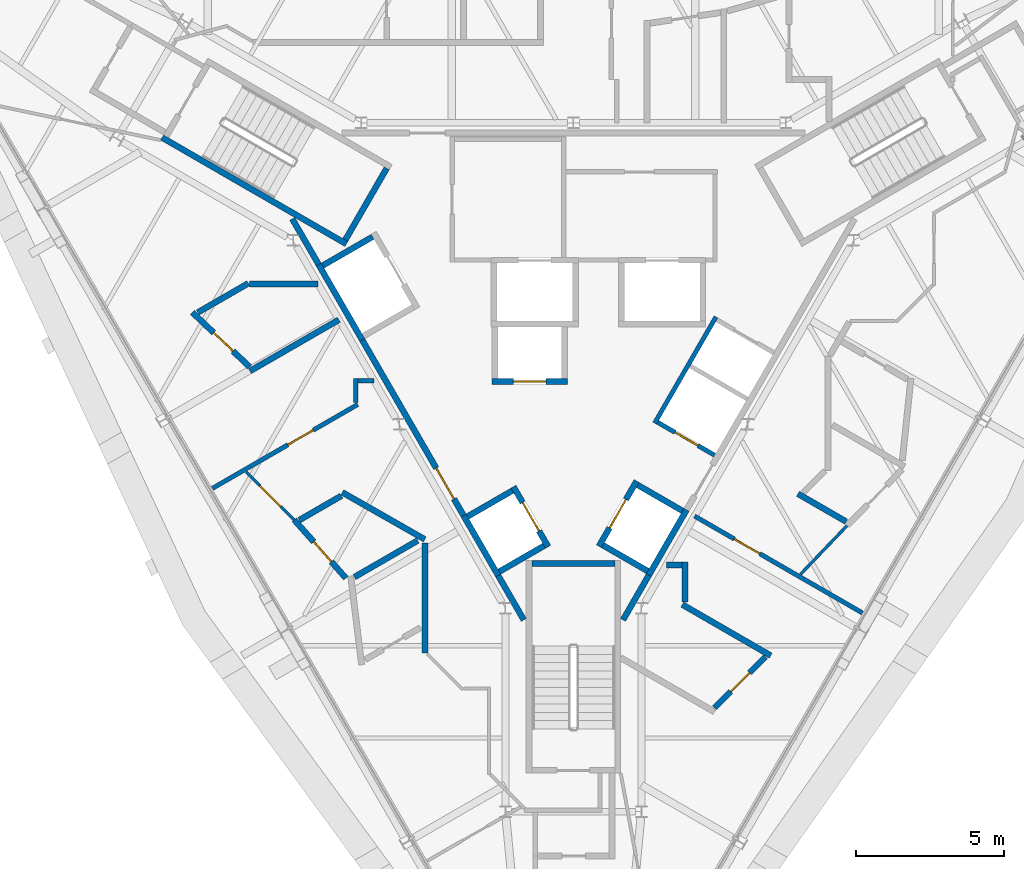
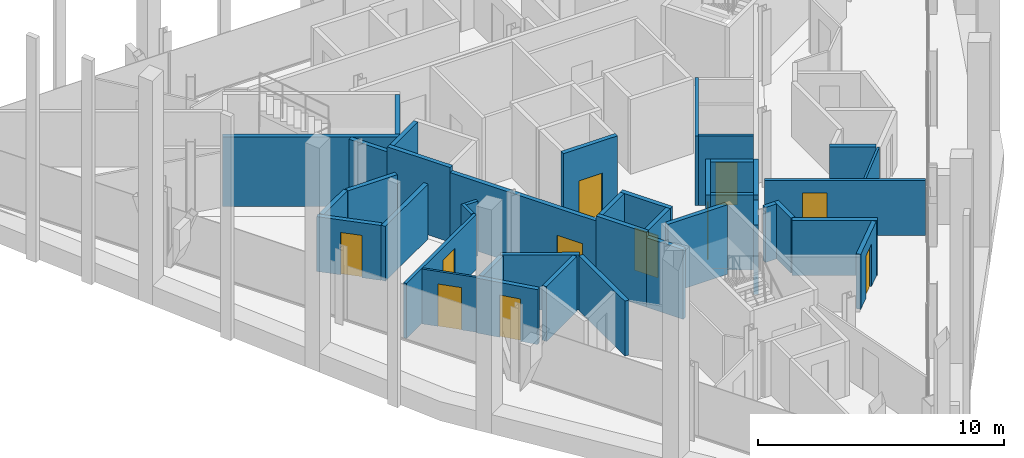
# One storey, part 8 of 13: 40 walls, 11 doors, 11 openings.
"""IFC4 building model written with IfcOpenShell, lengths in metres."""

from ifc_helpers import new_model, si_unit, direction, frame, frame_2d, origin, place, context, subcontext, project, spatial, rectangle, extrude, material, layer, layer_set, type_object, element, fill, save


model = new_model("IFC4")

# Units and contexts
model_context = context("Model", 3, precision=1e-05, world=origin(), true_north=direction((0.0, 1.0)))
body_context = subcontext(model_context, "Body", "Model", "MODEL_VIEW")
ifc_project = project(units=[si_unit("LENGTHUNIT", "METRE"), si_unit("AREAUNIT", "SQUARE_METRE"), si_unit("VOLUMEUNIT", "CUBIC_METRE"), si_unit("PLANEANGLEUNIT", "RADIAN"), si_unit("MASSUNIT", "GRAM", prefix="KILO")], contexts=[model_context])

# Site, building, storey
site_placement = place(None, origin())
site = spatial("IfcSite", under=ifc_project, at=site_placement, CompositionType="ELEMENT")
building_placement = place(site_placement, origin())
building = spatial("IfcBuilding", under=site, at=building_placement, Name="Verrane Prism Tower", CompositionType="ELEMENT")
storey_placement = place(building_placement, frame((0.0, 0.0, 286.199951171875)))
storey = spatial("IfcBuildingStorey", under=building, at=storey_placement, Name="L72", CompositionType="ELEMENT", Elevation=286.199951171875)

# Wall
ifc_material_1 = material(Name="Gypsum board partition", Category="other")
ifc_layer_1 = layer(ifc_material_1, 0.199951171875)
ifc_layer_set_1 = layer_set([ifc_layer_1], Name="CW-200 core boundary wall 2 h")
wall_type_1 = type_object("IfcWallType", Name="CW-200 core boundary wall 2 h", PredefinedType="PARTITIONING", material=ifc_layer_set_1)
wall_1_placement = place(storey_placement, frame((-9.509033203125, 3.550537109375, 0.0), z_axis=(0.0, 0.0, 1.0), x_axis=(0.499999136801, -0.866025902152, 0.0)))
element("IfcWall", 1, at=wall_1_placement, inside=storey, type_object=wall_type_1, Name="Core boundary wall CW3-001", PredefinedType="PARTITIONING", context=body_context, shape_type="SweptSolid", body=[
    extrude(rectangle(XDim=1.7822265625, YDim=0.199951171875, at=frame_2d((0.89111328125, 0.0))), origin(), (0.0, 0.0, 1.0), 3.449951171875),
])

# Wall, opening, door
wall_2_placement = place(storey_placement, frame((-7.14111328125, -0.551025390625, 0.0), z_axis=(0.0, 0.0, 1.0), x_axis=(0.500001302854, -0.86602465158, 0.0)))
wall_2 = element("IfcWall", 2, at=wall_2_placement, inside=storey, type_object=wall_type_1, Name="Core boundary wall CW3-003", PredefinedType="PARTITIONING", context=body_context, shape_type="SweptSolid", body=[
    extrude(rectangle(XDim=6.84619140625, YDim=0.199951171875, at=frame_2d((3.423095703125, 0.0))), origin(), (0.0, 0.0, 1.0), 3.449951171875),
])
opening_1_placement = place(wall_2_placement, frame((5.0, 0.0, 0.0)))
opening_1 = element("IfcOpeningElement", 3, at=opening_1_placement, cuts=wall_2, Name="Opening D72510", PredefinedType="OPENING", context=body_context, shape_type="SweptSolid", body=[
    extrude(rectangle(XDim=1.199951171875, YDim=2.10009765625, at=frame_2d((0.60009765625, 1.050048828125))), frame((0.0, 0.10986328125, 0.0), z_axis=(0.0, -1.0, 0.0), x_axis=(1.0, 0.0, 0.0)), (0.0, 0.0, 1.0), 0.219970703125),
])
ifc_material_2 = material(Name="Timber veneered door leaf", Category="wood")
door_type_1 = type_object("IfcDoorType", Name="DR-1200x2100 FD60 single leaf lift lobby", OperationType="NOTDEFINED", PredefinedType="DOOR", material=ifc_material_2)
door_1_placement = place(opening_1_placement, origin())
door_1 = element("IfcDoor", 4, at=door_1_placement, inside=storey, type_object=door_type_1, Name="Lift lobby door D72510", OperationType="SINGLE_SWING_RIGHT", OverallHeight=2.10009765625, OverallWidth=1.199951171875, PredefinedType="DOOR", context=body_context, shape_type="SweptSolid", body=[
    extrude(rectangle(XDim=1.199951171875, YDim=2.10009765625, at=frame_2d((0.60009765625, 1.050048828125))), frame((0.0, 0.02490234375, 0.0), z_axis=(0.0, -1.0, 0.0), x_axis=(1.0, 0.0, 0.0)), (0.0, 0.0, 1.0), 0.050048828125),
])
fill(opening_1, door_1)

# Walls
wall_3_placement = place(storey_placement, frame((-2.541015625, -8.51904296875, 0.0), z_axis=(0.0, 0.0, 1.0), x_axis=(0.500016142392, -0.86601608377, 0.0)))
element("IfcWall", 5, at=wall_3_placement, inside=storey, type_object=wall_type_1, Name="Core boundary wall CW3-004", PredefinedType="PARTITIONING", context=body_context, shape_type="SweptSolid", body=[
    extrude(rectangle(XDim=1.72705078125, YDim=0.199951171875, at=frame_2d((0.863525390625, 0.0))), origin(), (0.0, 0.0, 1.0), 3.449951171875),
])
wall_4_placement = place(storey_placement, frame((1.677490234375, -10.0146484375, 0.0), z_axis=(0.0, 0.0, 1.0), x_axis=(0.49983532306, 0.866120459187, 0.0)))
element("IfcWall", 6, at=wall_4_placement, inside=storey, type_object=wall_type_1, Name="Core boundary wall CW3-005", PredefinedType="PARTITIONING", context=body_context, shape_type="SweptSolid", body=[
    extrude(rectangle(XDim=1.74755859375, YDim=0.199951171875, at=frame_2d((0.873779296875, 0.0))), origin(), (0.0, 0.0, 1.0), 3.449951171875),
])
ifc_material_3 = material(Name="Concrete C40/50", Category="concrete")
ifc_layer_2 = layer(ifc_material_3, 0.199951171875)
ifc_layer_set_2 = layer_set([ifc_layer_2], Name="CW-200 stair core wall concrete C40/50 3 h")
wall_type_2 = type_object("IfcWallType", Name="CW-200 stair core wall concrete C40/50 3 h", PredefinedType="PARTITIONING", material=ifc_layer_set_2)
wall_5_placement = place(storey_placement, frame((-7.67822265625, 2.700927734375, 0.0), z_axis=(0.0, 0.0, 1.0), x_axis=(-0.866018442252, 0.500012057535, 0.0)))
element("IfcWall", 7, at=wall_5_placement, inside=storey, type_object=wall_type_2, Name="Stair 2 enclosure wall", PredefinedType="PARTITIONING", context=body_context, shape_type="SweptSolid", body=[
    extrude(rectangle(XDim=7.199951171875, YDim=0.199951171875, at=frame_2d((3.60009765625, 0.0))), origin(), (0.0, 0.0, 1.0), 3.449951171875),
])
wall_6_placement = place(storey_placement, frame((-6.314697265625, 5.262451171875, 0.0), z_axis=(0.0, 0.0, 1.0), x_axis=(-0.500049511043, -0.865996816683, 0.0)))
element("IfcWall", 8, at=wall_6_placement, inside=storey, type_object=wall_type_2, Name="Stair 2 enclosure wall", PredefinedType="PARTITIONING", context=body_context, shape_type="SweptSolid", body=[
    extrude(rectangle(XDim=2.800048828125, YDim=0.199951171875, at=frame_2d((1.39990234375, 0.0))), origin(), (0.0, 0.0, 1.0), 3.449951171875),
])
wall_7_placement = place(storey_placement, frame((-1.39990234375, -8.10009765625, 0.0), z_axis=(0.0, 0.0, 1.0), x_axis=(1.0, 0.0, 0.0)))
element("IfcWall", 9, at=wall_7_placement, inside=storey, type_object=wall_type_2, Name="Stair 3 enclosure wall", PredefinedType="PARTITIONING", context=body_context, shape_type="SweptSolid", body=[
    extrude(rectangle(XDim=2.7998046875, YDim=0.199951171875, at=frame_2d((1.39990234375, 0.0))), origin(), (0.0, 0.0, 1.0), 3.449951171875),
])

# Wall, opening, door
ifc_material_4 = material(Name="Gypsum board shaft wall assembly", Category="other")
ifc_layer_3 = layer(ifc_material_4, 0.199951171875)
ifc_layer_set_3 = layer_set([ifc_layer_3], Name="HW-200 lift shaft wall 2 h")
wall_type_3 = type_object("IfcWallType", Name="HW-200 lift shaft wall 2 h", PredefinedType="PARTITIONING", material=ifc_layer_set_3)
wall_8_placement = place(storey_placement, frame((-2.7548828125, -1.949951171875, 0.0), z_axis=(0.0, 0.0, 1.0), x_axis=(1.0, 0.0, 0.0)))
wall_8 = element("IfcWall", 10, at=wall_8_placement, inside=storey, type_object=wall_type_3, Name="Lift shaft wall", PredefinedType="PARTITIONING", context=body_context, shape_type="SweptSolid", body=[
    extrude(rectangle(XDim=2.5498046875, YDim=0.199951171875, at=frame_2d((1.27490234375, 0.0))), origin(), (0.0, 0.0, 1.0), 3.699951171875),
])
opening_2_placement = place(wall_8_placement, frame((0.72509765625, 0.0, 0.0)))
opening_2 = element("IfcOpeningElement", 11, at=opening_2_placement, cuts=wall_8, Name="Opening D72504", PredefinedType="OPENING", context=body_context, shape_type="SweptSolid", body=[
    extrude(rectangle(XDim=1.10009765625, YDim=2.10009765625, at=frame_2d((0.550048828125, 1.050048828125))), frame((0.0, 0.10986328125, 0.0), z_axis=(0.0, -1.0, 0.0), x_axis=(1.0, 0.0, 0.0)), (0.0, 0.0, 1.0), 0.219970703125),
])
ifc_material_5 = material(Name="Stainless steel sliding landing door", Category="steel")
door_type_2 = type_object("IfcDoorType", Name="LD-1100x2100 lift landing door FD90 sliding", OperationType="NOTDEFINED", PredefinedType="DOOR", material=ifc_material_5)
door_2_placement = place(opening_2_placement, origin())
door_2 = element("IfcDoor", 12, at=door_2_placement, inside=storey, type_object=door_type_2, Name="Bank C lift 2 landing door", OperationType="SLIDING_TO_RIGHT", OverallHeight=2.10009765625, OverallWidth=1.10009765625, PredefinedType="DOOR", context=body_context, shape_type="SweptSolid", body=[
    extrude(rectangle(XDim=1.10009765625, YDim=2.10009765625, at=frame_2d((0.550048828125, 1.050048828125))), frame((0.0, 0.02490234375, 0.0), z_axis=(0.0, -1.0, 0.0), x_axis=(1.0, 0.0, 0.0)), (0.0, 0.0, 1.0), 0.050048828125),
])
fill(opening_2, door_2)

# Walls
for number, where, z_axis, x_axis, name in (
    (13, (-2.50537109375, -8.38037109375, 0.0), (0.0, 0.0, 1.0), (0.866002029911, 0.500040482552, 0.0), "Lift shaft wall"),
    (14, (-3.580322265625, -6.5185546875, 0.0), (0.0, 0.0, 1.0), (0.866002029911, 0.500040482552, 0.0), "Lift shaft wall"),
):
    element("IfcWall", number, at=place(storey_placement, frame(where, z_axis=z_axis, x_axis=x_axis)), inside=storey, type_object=wall_type_3, Name=name, PredefinedType="PARTITIONING", context=body_context, shape_type="SweptSolid", body=[
        extrude(rectangle(XDim=1.749755859375, YDim=0.199951171875, at=frame_2d((0.875, 0.0))), origin(), (0.0, 0.0, 1.0), 3.699951171875),
    ])
wall_9_placement = place(storey_placement, frame((-8.48046875, 1.968505859375, 0.0), z_axis=(0.0, 0.0, 1.0), x_axis=(0.866000020948, 0.500043961785, 0.0)))
element("IfcWall", 15, at=wall_9_placement, inside=storey, type_object=wall_type_3, Name="Lift shaft wall", PredefinedType="PARTITIONING", context=body_context, shape_type="SweptSolid", body=[
    extrude(rectangle(XDim=1.949951171875, YDim=0.199951171875, at=frame_2d((0.97509765625, 0.0))), origin(), (0.0, 0.0, 1.0), 3.699951171875),
])
wall_10_placement = place(storey_placement, frame((2.552001953125, -8.499755859375, 0.0), z_axis=(0.0, 0.0, 1.0), x_axis=(0.499990435942, 0.866030925526, 0.0)))
element("IfcWall", 16, at=wall_10_placement, inside=storey, type_object=wall_type_3, Name="Lift shaft wall", PredefinedType="PARTITIONING", context=body_context, shape_type="SweptSolid", body=[
    extrude(rectangle(XDim=2.5498046875, YDim=0.199951171875, at=frame_2d((1.27490234375, 0.0))), origin(), (0.0, 0.0, 1.0), 3.699951171875),
])

# Wall, opening, door
wall_11_placement = place(storey_placement, frame((0.86328125, -7.524658203125, 0.0), z_axis=(0.0, 0.0, 1.0), x_axis=(0.499990435942, 0.866030925526, 0.0)))
wall_11 = element("IfcWall", 17, at=wall_11_placement, inside=storey, type_object=wall_type_3, Name="Lift shaft wall", PredefinedType="PARTITIONING", context=body_context, shape_type="SweptSolid", body=[
    extrude(rectangle(XDim=2.5498046875, YDim=0.199951171875, at=frame_2d((1.27490234375, 0.0))), origin(), (0.0, 0.0, 1.0), 3.699951171875),
])
opening_3_placement = place(wall_11_placement, frame((0.72509765625, 0.0, 0.0)))
opening_3 = element("IfcOpeningElement", 18, at=opening_3_placement, cuts=wall_11, Name="Opening D72505", PredefinedType="OPENING", context=body_context, shape_type="SweptSolid", body=[
    extrude(rectangle(XDim=1.10009765625, YDim=2.10009765625, at=frame_2d((0.550048828125, 1.050048828125))), frame((0.0, 0.10986328125, 0.0), z_axis=(0.0, -1.0, 0.0), x_axis=(1.0, 0.0, 0.0)), (0.0, 0.0, 1.0), 0.219970703125),
])
door_3_placement = place(opening_3_placement, origin())
door_3 = element("IfcDoor", 19, at=door_3_placement, inside=storey, type_object=door_type_2, Name="Bank C lift 3 landing door", OperationType="SLIDING_TO_LEFT", OverallHeight=2.10009765625, OverallWidth=1.10009765625, PredefinedType="DOOR", context=body_context, shape_type="SweptSolid", body=[
    extrude(rectangle(XDim=1.10009765625, YDim=2.10009765625, at=frame_2d((0.550048828125, 1.050048828125))), frame((0.0, 0.02490234375, 0.0), z_axis=(0.0, -1.0, 0.0), x_axis=(1.0, 0.0, 0.0)), (0.0, 0.0, 1.0), 0.050048828125),
])
fill(opening_3, door_3)

wall_12_placement = place(storey_placement, frame((-0.853271484375, -7.5419921875, 0.0), z_axis=(0.0, 0.0, 1.0), x_axis=(-0.500016218704, 0.866016039709, 0.0)))
wall_12 = element("IfcWall", 20, at=wall_12_placement, inside=storey, type_object=wall_type_3, Name="Lift shaft wall", PredefinedType="PARTITIONING", context=body_context, shape_type="SweptSolid", body=[
    extrude(rectangle(XDim=2.35009765625, YDim=0.199951171875, at=frame_2d((1.175048828125, 0.0))), origin(), (0.0, 0.0, 1.0), 3.699951171875),
])
opening_4_placement = place(wall_12_placement, frame((0.625, 0.0, 0.0)))
opening_4 = element("IfcOpeningElement", 21, at=opening_4_placement, cuts=wall_12, Name="Opening D72503", PredefinedType="OPENING", context=body_context, shape_type="SweptSolid", body=[
    extrude(rectangle(XDim=1.10009765625, YDim=2.10009765625, at=frame_2d((0.550048828125, 1.050048828125))), frame((0.0, 0.10986328125, 0.0), z_axis=(0.0, -1.0, 0.0), x_axis=(1.0, 0.0, 0.0)), (0.0, 0.0, 1.0), 0.219970703125),
])
door_4_placement = place(opening_4_placement, origin())
door_4 = element("IfcDoor", 22, at=door_4_placement, inside=storey, type_object=door_type_2, Name="Bank C lift 1 landing door", OperationType="SLIDING_TO_LEFT", OverallHeight=2.10009765625, OverallWidth=1.10009765625, PredefinedType="DOOR", context=body_context, shape_type="SweptSolid", body=[
    extrude(rectangle(XDim=1.10009765625, YDim=2.10009765625, at=frame_2d((0.550048828125, 1.050048828125))), frame((0.0, 0.02490234375, 0.0), z_axis=(0.0, -1.0, 0.0), x_axis=(1.0, 0.0, 0.0)), (0.0, 0.0, 1.0), 0.050048828125),
])
fill(opening_4, door_4)

# Walls
wall_13_placement = place(storey_placement, frame((-2.5419921875, -8.51708984375, 0.0), z_axis=(0.0, 0.0, 1.0), x_axis=(-0.500016218704, 0.866016039709, 0.0)))
element("IfcWall", 23, at=wall_13_placement, inside=storey, type_object=wall_type_3, Name="Lift shaft wall", PredefinedType="PARTITIONING", context=body_context, shape_type="SweptSolid", body=[
    extrude(rectangle(XDim=2.35009765625, YDim=0.199951171875, at=frame_2d((1.175048828125, 0.0))), origin(), (0.0, 0.0, 1.0), 3.699951171875),
])
wall_14_placement = place(storey_placement, frame((-7.14208984375, -0.549560546875, 0.0), z_axis=(0.0, 0.0, 1.0), x_axis=(-0.49997559174, 0.866039495442, 0.0)))
element("IfcWall", 24, at=wall_14_placement, inside=storey, type_object=wall_type_3, Name="Lift shaft wall", PredefinedType="PARTITIONING", context=body_context, shape_type="SweptSolid", body=[
    extrude(rectangle(XDim=2.949951171875, YDim=0.199951171875, at=frame_2d((1.47509765625, 0.0))), origin(), (0.0, 0.0, 1.0), 3.699951171875),
])
for number, where, z_axis, x_axis, name in (
    (25, (3.6904296875, -6.327880859375, 0.0), (0.0, 0.0, 1.0), (-0.866036909293, 0.499980071345, 0.0), "Lift shaft wall"),
    (26, (2.515380859375, -8.36328125, 0.0), (0.0, 0.0, 1.0), (-0.866036909293, 0.499980071345, 0.0), "Lift shaft wall"),
):
    element("IfcWall", number, at=place(storey_placement, frame(where, z_axis=z_axis, x_axis=x_axis)), inside=storey, type_object=wall_type_3, Name=name, PredefinedType="PARTITIONING", context=body_context, shape_type="SweptSolid", body=[
        extrude(rectangle(XDim=1.75, YDim=0.199951171875, at=frame_2d((0.875, 0.0))), origin(), (0.0, 0.0, 1.0), 3.699951171875),
    ])

# Wall, opening, door
ifc_material_6 = material(Name="Gypsum board partition", Category="other")
ifc_layer_4 = layer(ifc_material_6, 0.10009765625)
ifc_layer_set_4 = layer_set([ifc_layer_4], Name="PW-100 room partition")
wall_type_4 = type_object("IfcWallType", Name="PW-100 room partition", PredefinedType="PARTITIONING", material=ifc_layer_set_4)
wall_15_placement = place(storey_placement, frame((-9.4521484375, -6.626708984375, 0.0), z_axis=(0.0, 0.0, 1.0), x_axis=(-0.707106781187, 0.707106781187, 0.0)))
wall_15 = element("IfcWall", 27, at=wall_15_placement, inside=storey, type_object=wall_type_4, Name="Room partition 013", PredefinedType="PARTITIONING", context=body_context, shape_type="SweptSolid", body=[
    extrude(rectangle(XDim=2.288818359375, YDim=0.10009765625, at=frame_2d((1.14453125, 0.0))), origin(), (0.0, 0.0, 1.0), 2.72314453125),
])
opening_5_placement = place(wall_15_placement, frame((0.6298828125, 0.0, 0.0)))
opening_5 = element("IfcOpeningElement", 28, at=opening_5_placement, cuts=wall_15, Name="Opening D72023", PredefinedType="OPENING", context=body_context, shape_type="SweptSolid", body=[
    extrude(rectangle(XDim=1.0, YDim=2.10009765625, at=frame_2d((0.5, 1.050048828125))), frame((0.0, 0.06005859375, 0.0), z_axis=(0.0, -1.0, 0.0), x_axis=(1.0, 0.0, 0.0)), (0.0, 0.0, 1.0), 0.1201171875),
])
ifc_material_7 = material(Name="Timber veneered door leaf", Category="wood")
door_type_3 = type_object("IfcDoorType", Name="DR-1000x2100 single leaf inner", OperationType="NOTDEFINED", PredefinedType="DOOR", material=ifc_material_7)
door_5_placement = place(opening_5_placement, origin())
door_5 = element("IfcDoor", 29, at=door_5_placement, inside=storey, type_object=door_type_3, Name="Entrance Foyer door", OperationType="SINGLE_SWING_RIGHT", OverallHeight=2.10009765625, OverallWidth=1.0, PredefinedType="DOOR", context=body_context, shape_type="SweptSolid", body=[
    extrude(rectangle(XDim=1.0, YDim=2.10009765625, at=frame_2d((0.5, 1.050048828125))), frame((0.0, 0.02490234375, 0.0), z_axis=(0.0, -1.0, 0.0), x_axis=(1.0, 0.0, 0.0)), (0.0, 0.0, 1.0), 0.050048828125),
])
fill(opening_5, door_5)

# Wall
wall_16_placement = place(storey_placement, frame((7.680908203125, -8.470458984375, 0.0), z_axis=(0.0, 0.0, 1.0), x_axis=(0.691774963189, 0.722113149239, 0.0)))
element("IfcWall", 30, at=wall_16_placement, inside=storey, type_object=wall_type_4, Name="Room partition 058", PredefinedType="PARTITIONING", context=body_context, shape_type="SweptSolid", body=[
    extrude(rectangle(XDim=2.27734375, YDim=0.10009765625, at=frame_2d((1.138671875, 0.0))), origin(), (0.0, 0.0, 1.0), 2.72314453125),
])

# Wall, opening, door
ifc_material_8 = material(Name="Gypsum board partition", Category="other")
ifc_layer_5 = layer(ifc_material_8, 0.14990234375)
ifc_layer_set_5 = layer_set([ifc_layer_5], Name="PW-150 demising wall 1 h")
wall_type_5 = type_object("IfcWallType", Name="PW-150 demising wall 1 h", PredefinedType="PARTITIONING", material=ifc_layer_set_5)
wall_17_placement = place(storey_placement, frame((-12.205078125, -5.562255859375, 0.0), z_axis=(0.0, 0.0, 1.0), x_axis=(0.866006351856, 0.500032997455, 0.0)))
wall_17 = element("IfcWall", 31, at=wall_17_placement, inside=storey, type_object=wall_type_5, Name="Demising wall 011", PredefinedType="PARTITIONING", context=body_context, shape_type="SweptSolid", body=[
    extrude(rectangle(XDim=5.6708984375, YDim=0.14990234375, at=frame_2d((2.83544921875, 0.0))), origin(), (0.0, 0.0, 1.0), 2.72314453125),
])
opening_6_placement = place(wall_17_placement, frame((2.935302734375, 0.0, 0.0)))
opening_6 = element("IfcOpeningElement", 32, at=opening_6_placement, cuts=wall_17, Name="Opening D72019", PredefinedType="OPENING", context=body_context, shape_type="SweptSolid", body=[
    extrude(rectangle(XDim=1.0, YDim=2.10009765625, at=frame_2d((0.5, 1.050048828125))), frame((0.0, 0.0849609375, 0.0), z_axis=(0.0, -1.0, 0.0), x_axis=(1.0, 0.0, 0.0)), (0.0, 0.0, 1.0), 0.169921875),
])
ifc_material_9 = material(Name="Timber veneered door leaf", Category="wood")
door_type_4 = type_object("IfcDoorType", Name="DR-1000x2100 FD20 single leaf inner", OperationType="NOTDEFINED", PredefinedType="DOOR", material=ifc_material_9)
door_6_placement = place(opening_6_placement, origin())
door_6 = element("IfcDoor", 33, at=door_6_placement, inside=storey, type_object=door_type_4, Name="Entrance Foyer door", OperationType="SINGLE_SWING_LEFT", OverallHeight=2.10009765625, OverallWidth=1.0, PredefinedType="DOOR", context=body_context, shape_type="SweptSolid", body=[
    extrude(rectangle(XDim=1.0, YDim=2.10009765625, at=frame_2d((0.5, 1.050048828125))), frame((0.0, 0.02490234375, 0.0), z_axis=(0.0, -1.0, 0.0), x_axis=(1.0, 0.0, 0.0)), (0.0, 0.0, 1.0), 0.050048828125),
])
fill(opening_6, door_6)

# Walls
wall_18_placement = place(storey_placement, frame((-7.35888671875, -2.6640625, 0.0), z_axis=(0.0, 0.0, 1.0), x_axis=(0.0, 1.0, 0.0)))
element("IfcWall", 34, at=wall_18_placement, inside=storey, type_object=wall_type_5, Name="Demising wall 022", PredefinedType="PARTITIONING", context=body_context, shape_type="SweptSolid", body=[
    extrude(rectangle(XDim=0.80810546875, YDim=0.14990234375, at=frame_2d((0.404052734375, 0.0))), origin(), (0.0, 0.0, 1.0), 2.72314453125),
])
wall_19_placement = place(storey_placement, frame((-7.283935546875, -1.930908203125, 0.0), z_axis=(0.0, 0.0, 1.0), x_axis=(1.0, 0.0, 0.0)))
element("IfcWall", 35, at=wall_19_placement, inside=storey, type_object=wall_type_5, Name="Demising wall 023", PredefinedType="PARTITIONING", context=body_context, shape_type="SweptSolid", body=[
    extrude(rectangle(XDim=0.546875, YDim=0.14990234375, at=frame_2d((0.2734375, 0.0))), origin(), (0.0, 0.0, 1.0), 2.72314453125),
])

# Wall, opening, door
wall_20_placement = place(storey_placement, frame((9.771728515625, -9.77685546875, 0.0), z_axis=(0.0, 0.0, 1.0), x_axis=(-0.866083818164, 0.499898809675, 0.0)))
wall_20 = element("IfcWall", 36, at=wall_20_placement, inside=storey, type_object=wall_type_5, Name="Demising wall 052", PredefinedType="PARTITIONING", context=body_context, shape_type="SweptSolid", body=[
    extrude(rectangle(XDim=6.551025390625, YDim=0.14990234375, at=frame_2d((3.275390625, 0.0))), origin(), (0.0, 0.0, 1.0), 2.72314453125),
])
opening_7_placement = place(wall_20_placement, frame((4.0009765625, 0.0, 0.0)))
opening_7 = element("IfcOpeningElement", 37, at=opening_7_placement, cuts=wall_20, Name="Opening D72001", PredefinedType="OPENING", context=body_context, shape_type="SweptSolid", body=[
    extrude(rectangle(XDim=1.0, YDim=2.10009765625, at=frame_2d((0.5, 1.050048828125))), frame((0.0, 0.0849609375, 0.0), z_axis=(0.0, -1.0, 0.0), x_axis=(1.0, 0.0, 0.0)), (0.0, 0.0, 1.0), 0.169921875),
])
door_7_placement = place(opening_7_placement, origin())
door_7 = element("IfcDoor", 38, at=door_7_placement, inside=storey, type_object=door_type_4, Name="Entrance Foyer door", OperationType="SINGLE_SWING_RIGHT", OverallHeight=2.10009765625, OverallWidth=1.0, PredefinedType="DOOR", context=body_context, shape_type="SweptSolid", body=[
    extrude(rectangle(XDim=1.0, YDim=2.10009765625, at=frame_2d((0.5, 1.050048828125))), frame((0.0, 0.02490234375, 0.0), z_axis=(0.0, -1.0, 0.0), x_axis=(1.0, 0.0, 0.0)), (0.0, 0.0, 1.0), 0.050048828125),
])
fill(opening_7, door_7)

# Wall
ifc_material_10 = material(Name="Gypsum board partition", Category="other")
ifc_layer_6 = layer(ifc_material_10, 0.199951171875)
ifc_layer_set_6 = layer_set([ifc_layer_6], Name="PW-200 plumbing wall")
wall_type_6 = type_object("IfcWallType", Name="PW-200 plumbing wall", PredefinedType="PARTITIONING", material=ifc_layer_set_6)
wall_21_placement = place(storey_placement, frame((-12.701171875, 0.386474609375, 0.0), z_axis=(0.0, 0.0, 1.0), x_axis=(0.866028603765, 0.49999445743, 0.0)))
element("IfcWall", 39, at=wall_21_placement, inside=storey, type_object=wall_type_6, Name="Plumbing wall 009", PredefinedType="PARTITIONING", context=body_context, shape_type="SweptSolid", body=[
    extrude(rectangle(XDim=1.96826171875, YDim=0.199951171875, at=frame_2d((0.984130859375, 0.0))), origin(), (0.0, 0.0, 1.0), 2.72314453125),
])

# Wall, opening, door
wall_22_placement = place(storey_placement, frame((-12.890380859375, 0.387939453125, 0.0), z_axis=(0.0, 0.0, 1.0), x_axis=(0.724395225918, -0.689384911836, 0.0)))
wall_22 = element("IfcWall", 40, at=wall_22_placement, inside=storey, type_object=wall_type_6, Name="Plumbing wall 010", PredefinedType="PARTITIONING", context=body_context, shape_type="SweptSolid", body=[
    extrude(rectangle(XDim=2.684814453125, YDim=0.199951171875, at=frame_2d((1.34228515625, 0.0))), origin(), (0.0, 0.0, 1.0), 2.72314453125),
])
opening_8_placement = place(wall_22_placement, frame((1.0, 0.0, 0.0)))
opening_8 = element("IfcOpeningElement", 41, at=opening_8_placement, cuts=wall_22, Name="Opening D72020", PredefinedType="OPENING", context=body_context, shape_type="SweptSolid", body=[
    extrude(rectangle(XDim=0.89990234375, YDim=2.10009765625, at=frame_2d((0.449951171875, 1.050048828125))), frame((0.0, 0.10986328125, 0.0), z_axis=(0.0, -1.0, 0.0), x_axis=(1.0, 0.0, 0.0)), (0.0, 0.0, 1.0), 0.219970703125),
])
ifc_material_11 = material(Name="Timber veneered door leaf", Category="wood")
door_type_5 = type_object("IfcDoorType", Name="DR-900x2100 single leaf inner", OperationType="NOTDEFINED", PredefinedType="DOOR", material=ifc_material_11)
door_8_placement = place(opening_8_placement, origin())
door_8 = element("IfcDoor", 42, at=door_8_placement, inside=storey, type_object=door_type_5, Name="Kitchen door", OperationType="SINGLE_SWING_RIGHT", OverallHeight=2.10009765625, OverallWidth=0.89990234375, PredefinedType="DOOR", context=body_context, shape_type="SweptSolid", body=[
    extrude(rectangle(XDim=0.89990234375, YDim=2.10009765625, at=frame_2d((0.449951171875, 1.050048828125))), frame((0.0, 0.02490234375, 0.0), z_axis=(0.0, -1.0, 0.0), x_axis=(1.0, 0.0, 0.0)), (0.0, 0.0, 1.0), 0.050048828125),
])
fill(opening_8, door_8)

# Walls
wall_23_placement = place(storey_placement, frame((-10.948974609375, 1.35107421875, 0.0), z_axis=(0.0, 0.0, 1.0), x_axis=(1.0, 0.0, 0.0)))
element("IfcWall", 43, at=wall_23_placement, inside=storey, type_object=wall_type_6, Name="Plumbing wall 014", PredefinedType="PARTITIONING", context=body_context, shape_type="SweptSolid", body=[
    extrude(rectangle(XDim=2.31689453125, YDim=0.199951171875, at=frame_2d((1.158447265625, 0.0))), origin(), (0.0, 0.0, 1.0), 2.72314453125),
])
wall_24_placement = place(storey_placement, frame((-10.941650390625, -1.598876953125, 0.0), z_axis=(0.0, 0.0, 1.0), x_axis=(0.866134116492, 0.499811656775, 0.0)))
element("IfcWall", 44, at=wall_24_placement, inside=storey, type_object=wall_type_6, Name="Plumbing wall 015", PredefinedType="PARTITIONING", context=body_context, shape_type="SweptSolid", body=[
    extrude(rectangle(XDim=3.474853515625, YDim=0.199951171875, at=frame_2d((1.7373046875, 0.0))), origin(), (0.0, 0.0, 1.0), 2.72314453125),
])
wall_25_placement = place(storey_placement, frame((-9.269775390625, -6.638427734375, 0.0), z_axis=(0.0, 0.0, 1.0), x_axis=(0.865883664904, 0.500245418622, 0.0)))
element("IfcWall", 45, at=wall_25_placement, inside=storey, type_object=wall_type_6, Name="Plumbing wall 017", PredefinedType="PARTITIONING", context=body_context, shape_type="SweptSolid", body=[
    extrude(rectangle(XDim=1.643310546875, YDim=0.199951171875, at=frame_2d((0.82177734375, 0.0))), origin(), (0.0, 0.0, 1.0), 2.72314453125),
])

# Wall, opening, door
wall_26_placement = place(storey_placement, frame((-9.4443359375, -6.626220703125, 0.0), z_axis=(0.0, 0.0, 1.0), x_axis=(0.662869305379, -0.748735122715, 0.0)))
wall_26 = element("IfcWall", 46, at=wall_26_placement, inside=storey, type_object=wall_type_6, Name="Plumbing wall 018", PredefinedType="PARTITIONING", context=body_context, shape_type="SweptSolid", body=[
    extrude(rectangle(XDim=2.638671875, YDim=0.199951171875, at=frame_2d((1.3193359375, 0.0))), origin(), (0.0, 0.0, 1.0), 2.72314453125),
])
opening_9_placement = place(wall_26_placement, frame((1.0, 0.0, 0.0)))
opening_9 = element("IfcOpeningElement", 47, at=opening_9_placement, cuts=wall_26, Name="Opening D72024", PredefinedType="OPENING", context=body_context, shape_type="SweptSolid", body=[
    extrude(rectangle(XDim=0.89990234375, YDim=2.10009765625, at=frame_2d((0.449951171875, 1.050048828125))), frame((0.0, 0.10986328125, 0.0), z_axis=(0.0, -1.0, 0.0), x_axis=(1.0, 0.0, 0.0)), (0.0, 0.0, 1.0), 0.219970703125),
])
door_9_placement = place(opening_9_placement, origin())
door_9 = element("IfcDoor", 48, at=door_9_placement, inside=storey, type_object=door_type_5, Name="Kitchen door", OperationType="SINGLE_SWING_RIGHT", OverallHeight=2.10009765625, OverallWidth=0.89990234375, PredefinedType="DOOR", context=body_context, shape_type="SweptSolid", body=[
    extrude(rectangle(XDim=0.89990234375, YDim=2.10009765625, at=frame_2d((0.449951171875, 1.050048828125))), frame((0.0, 0.02490234375, 0.0), z_axis=(0.0, -1.0, 0.0), x_axis=(1.0, 0.0, 0.0)), (0.0, 0.0, 1.0), 0.050048828125),
])
fill(opening_9, door_9)

# Walls
wall_27_placement = place(storey_placement, frame((-7.81689453125, -5.699462890625, 0.0), z_axis=(0.0, 0.0, 1.0), x_axis=(0.868528315933, -0.495639550906, 0.0)))
element("IfcWall", 49, at=wall_27_placement, inside=storey, type_object=wall_type_6, Name="Plumbing wall 019", PredefinedType="PARTITIONING", context=body_context, shape_type="SweptSolid", body=[
    extrude(rectangle(XDim=3.212158203125, YDim=0.199951171875, at=frame_2d((1.60595703125, 0.0))), origin(), (0.0, 0.0, 1.0), 2.72314453125),
])
wall_28_placement = place(storey_placement, frame((-7.406494140625, -8.56494140625, 0.0), z_axis=(0.0, 0.0, 1.0), x_axis=(0.866144473187, 0.499793709012, 0.0)))
element("IfcWall", 50, at=wall_28_placement, inside=storey, type_object=wall_type_6, Name="Plumbing wall 021", PredefinedType="PARTITIONING", context=body_context, shape_type="SweptSolid", body=[
    extrude(rectangle(XDim=2.4716796875, YDim=0.199951171875, at=frame_2d((1.23583984375, 0.0))), origin(), (0.0, 0.0, 1.0), 2.72314453125),
])
wall_29_placement = place(storey_placement, frame((-5.01904296875, -11.138916015625, 0.0), z_axis=(0.0, 0.0, 1.0), x_axis=(0.0, 1.0, 0.0)))
element("IfcWall", 51, at=wall_29_placement, inside=storey, type_object=wall_type_6, Name="Plumbing wall 027", PredefinedType="PARTITIONING", context=body_context, shape_type="SweptSolid", body=[
    extrude(rectangle(XDim=3.73291015625, YDim=0.199951171875, at=frame_2d((1.866455078125, 0.0))), origin(), (0.0, 0.0, 1.0), 2.72314453125),
])
wall_30_placement = place(storey_placement, frame((3.14599609375, -8.15087890625, 0.0), z_axis=(0.0, 0.0, 1.0), x_axis=(1.0, 0.0, 0.0)))
element("IfcWall", 52, at=wall_30_placement, inside=storey, type_object=wall_type_6, Name="Plumbing wall 049", PredefinedType="PARTITIONING", context=body_context, shape_type="SweptSolid", body=[
    extrude(rectangle(XDim=0.52294921875, YDim=0.199951171875, at=frame_2d((0.261474609375, 0.0))), origin(), (0.0, 0.0, 1.0), 2.72314453125),
])
wall_31_placement = place(storey_placement, frame((3.76904296875, -9.409912109375, 0.0), z_axis=(0.0, 0.0, 1.0), x_axis=(0.0, 1.0, 0.0)))
element("IfcWall", 53, at=wall_31_placement, inside=storey, type_object=wall_type_6, Name="Plumbing wall 050", PredefinedType="PARTITIONING", context=body_context, shape_type="SweptSolid", body=[
    extrude(rectangle(XDim=1.35888671875, YDim=0.199951171875, at=frame_2d((0.679443359375, 0.0))), origin(), (0.0, 0.0, 1.0), 2.72314453125),
])
wall_32_placement = place(storey_placement, frame((3.682373046875, -9.4951171875, 0.0), z_axis=(0.0, 0.0, 1.0), x_axis=(0.866046690806, -0.499963127985, 0.0)))
element("IfcWall", 54, at=wall_32_placement, inside=storey, type_object=wall_type_6, Name="Plumbing wall 051", PredefinedType="PARTITIONING", context=body_context, shape_type="SweptSolid", body=[
    extrude(rectangle(XDim=3.453857421875, YDim=0.199951171875, at=frame_2d((1.72705078125, 0.0))), origin(), (0.0, 0.0, 1.0), 2.72314453125),
])

# Wall, opening, door
wall_33_placement = place(storey_placement, frame((4.7724609375, -12.986572265625, 0.0), z_axis=(0.0, 0.0, 1.0), x_axis=(0.707106781187, 0.707106781187, 0.0)))
wall_33 = element("IfcWall", 55, at=wall_33_placement, inside=storey, type_object=wall_type_6, Name="Plumbing wall 053", PredefinedType="PARTITIONING", context=body_context, shape_type="SweptSolid", body=[
    extrude(rectangle(XDim=2.436279296875, YDim=0.199951171875, at=frame_2d((1.21826171875, 0.0))), origin(), (0.0, 0.0, 1.0), 2.72314453125),
])
opening_10_placement = place(wall_33_placement, frame((0.77490234375, 0.0, 0.0)))
opening_10 = element("IfcOpeningElement", 56, at=opening_10_placement, cuts=wall_33, Name="Opening D72002", PredefinedType="OPENING", context=body_context, shape_type="SweptSolid", body=[
    extrude(rectangle(XDim=0.89990234375, YDim=2.10009765625, at=frame_2d((0.449951171875, 1.050048828125))), frame((0.0, 0.10986328125, 0.0), z_axis=(0.0, -1.0, 0.0), x_axis=(1.0, 0.0, 0.0)), (0.0, 0.0, 1.0), 0.219970703125),
])
door_10_placement = place(opening_10_placement, origin())
door_10 = element("IfcDoor", 57, at=door_10_placement, inside=storey, type_object=door_type_5, Name="Kitchen door", OperationType="SINGLE_SWING_RIGHT", OverallHeight=2.10009765625, OverallWidth=0.89990234375, PredefinedType="DOOR", context=body_context, shape_type="SweptSolid", body=[
    extrude(rectangle(XDim=0.89990234375, YDim=2.10009765625, at=frame_2d((0.449951171875, 1.050048828125))), frame((0.0, 0.02490234375, 0.0), z_axis=(0.0, -1.0, 0.0), x_axis=(1.0, 0.0, 0.0)), (0.0, 0.0, 1.0), 0.050048828125),
])
fill(opening_10, door_10)

# Walls
wall_34_placement = place(storey_placement, frame((7.593505859375, -5.748046875, 0.0), z_axis=(0.0, 0.0, 1.0), x_axis=(0.866049635583, -0.499958026946, 0.0)))
element("IfcWall", 58, at=wall_34_placement, inside=storey, type_object=wall_type_6, Name="Plumbing wall 060", PredefinedType="PARTITIONING", context=body_context, shape_type="SweptSolid", body=[
    extrude(rectangle(XDim=1.884033203125, YDim=0.199951171875, at=frame_2d((0.94189453125, 0.0))), origin(), (0.0, 0.0, 1.0), 2.72314453125),
])
ifc_material_12 = material(Name="Gypsum board partition", Category="other")
ifc_layer_7 = layer(ifc_material_12, 0.14990234375)
ifc_layer_set_7 = layer_set([ifc_layer_7], Name="RS-150 riser enclosure wall 1 h")
wall_type_7 = type_object("IfcWallType", Name="RS-150 riser enclosure wall 1 h", PredefinedType="PARTITIONING", material=ifc_layer_set_7)
wall_35_placement = place(storey_placement, frame((2.74853515625, -3.35888671875, 0.0), z_axis=(0.0, 0.0, 1.0), x_axis=(0.500017827812, 0.866015110648, 0.0)))
element("IfcWall", 59, at=wall_35_placement, inside=storey, type_object=wall_type_7, Name="Riser wall RS3-001", PredefinedType="PARTITIONING", context=body_context, shape_type="SweptSolid", body=[
    extrude(rectangle(XDim=4.149658203125, YDim=0.14990234375, at=frame_2d((2.07470703125, 0.0))), origin(), (0.0, 0.0, 1.0), 3.449951171875),
])

# Wall, opening, door
wall_36_placement = place(storey_placement, frame((2.85107421875, -3.33154296875, 0.0), z_axis=(0.0, 0.0, 1.0), x_axis=(0.866110524189, -0.499852538144, 0.0)))
wall_36 = element("IfcWall", 60, at=wall_36_placement, inside=storey, type_object=wall_type_7, Name="Riser wall RS3-002", PredefinedType="PARTITIONING", context=body_context, shape_type="SweptSolid", body=[
    extrude(rectangle(XDim=2.220458984375, YDim=0.14990234375, at=frame_2d((1.1103515625, 0.0))), origin(), (0.0, 0.0, 1.0), 3.449951171875),
])
opening_11_placement = place(wall_36_placement, frame((0.675048828125, 0.0, 0.0)))
opening_11 = element("IfcOpeningElement", 61, at=opening_11_placement, cuts=wall_36, Name="Opening D72513", PredefinedType="OPENING", context=body_context, shape_type="SweptSolid", body=[
    extrude(rectangle(XDim=0.89990234375, YDim=2.10009765625, at=frame_2d((0.449951171875, 1.050048828125))), frame((0.0, 0.0849609375, 0.0), z_axis=(0.0, -1.0, 0.0), x_axis=(1.0, 0.0, 0.0)), (0.0, 0.0, 1.0), 0.169921875),
])
ifc_material_13 = material(Name="Timber veneered door leaf", Category="wood")
door_type_6 = type_object("IfcDoorType", Name="DR-900x2100 FD60 single leaf riser", OperationType="NOTDEFINED", PredefinedType="DOOR", material=ifc_material_13)
door_11_placement = place(opening_11_placement, origin())
door_11 = element("IfcDoor", 62, at=door_11_placement, inside=storey, type_object=door_type_6, Name="Riser door D72513", OperationType="SINGLE_SWING_RIGHT", OverallHeight=2.10009765625, OverallWidth=0.89990234375, PredefinedType="DOOR", context=body_context, shape_type="SweptSolid", body=[
    extrude(rectangle(XDim=0.89990234375, YDim=2.10009765625, at=frame_2d((0.449951171875, 1.050048828125))), frame((0.0, 0.02490234375, 0.0), z_axis=(0.0, -1.0, 0.0), x_axis=(1.0, 0.0, 0.0)), (0.0, 0.0, 1.0), 0.050048828125),
])
fill(opening_11, door_11)

save(model, "model.ifc")
